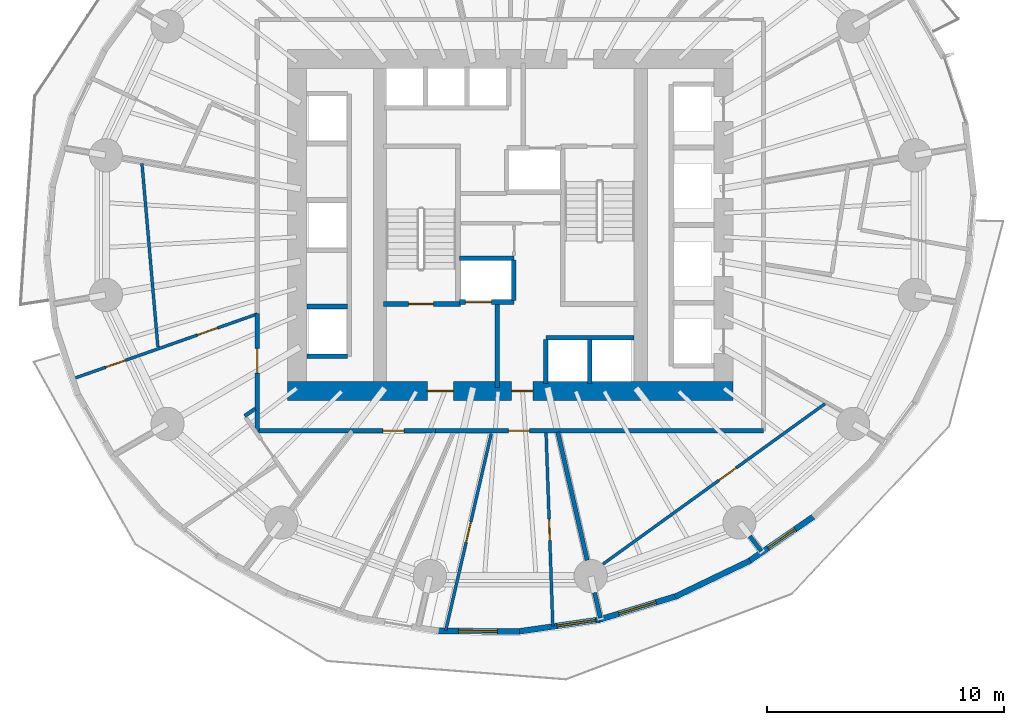
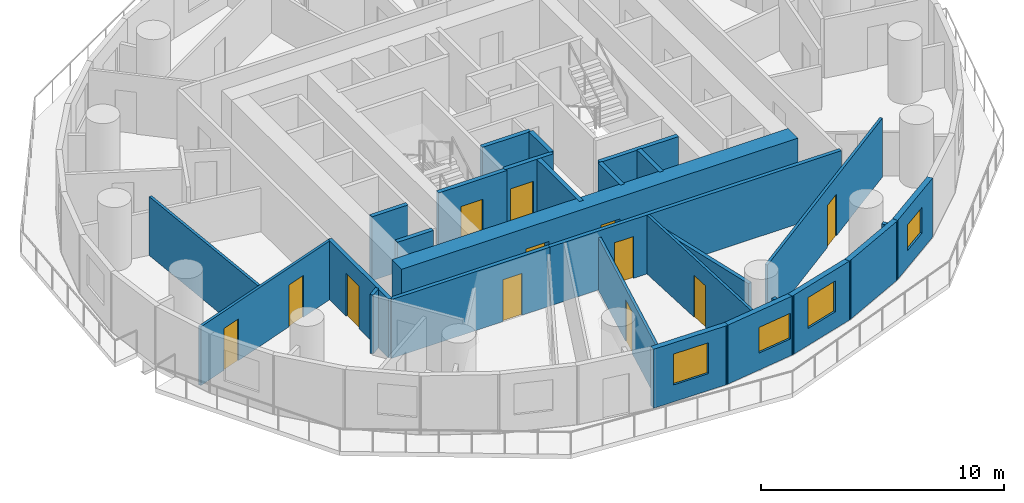
# One storey, part 5 of 13: 28 walls, 12 doors, 4 windows, 16 openings.
"""IFC4 building model written with IfcOpenShell, lengths in metres."""

from ifc_helpers import new_model, si_unit, direction, frame, frame_2d, origin, place, context, subcontext, project, spatial, rectangle, extrude, material, layer, layer_set, type_object, element, fill, save


model = new_model("IFC4")

# Units and contexts
model_context = context("Model", 3, precision=1e-05, world=origin(), true_north=direction((0.0, 1.0)))
body_context = subcontext(model_context, "Body", "Model", "MODEL_VIEW")
ifc_project = project(units=[si_unit("LENGTHUNIT", "METRE"), si_unit("AREAUNIT", "SQUARE_METRE"), si_unit("VOLUMEUNIT", "CUBIC_METRE"), si_unit("PLANEANGLEUNIT", "RADIAN"), si_unit("MASSUNIT", "GRAM", prefix="KILO")], contexts=[model_context])

# Site, building, storey
site_placement = place(None, origin())
site = spatial("IfcSite", under=ifc_project, at=site_placement, CompositionType="ELEMENT")
building_placement = place(site_placement, origin())
building = spatial("IfcBuilding", under=site, at=building_placement, Name="Veldorim Arch Residences", CompositionType="ELEMENT")
storey_placement = place(building_placement, frame((0.0, 0.0, 56.800048828125)))
storey = spatial("IfcBuildingStorey", under=building, at=storey_placement, Name="L16", CompositionType="ELEMENT", Elevation=56.800048828125)

# Wall, opening, door
ifc_material_1 = material(Name="Acoustic Gypsum Board", Category="gypsum")
ifc_layer_1 = layer(ifc_material_1, 0.125, Name="Acoustic Stud Room Partition Wall 125")
ifc_layer_set_1 = layer_set([ifc_layer_1], Name="Acoustic Gypsum Board")
wall_type_1 = type_object("IfcWallType", Name="Acoustic Stud Room Partition Wall 125", PredefinedType="PARTITIONING", material=ifc_layer_set_1)
wall_1_placement = place(storey_placement, frame((33.5087890625, 15.22021484375, 0.0), z_axis=(0.0, 0.0, 1.0), x_axis=(0.035033610305, -0.999386134659, 0.0)))
wall_1 = element("IfcWall", 1, at=wall_1_placement, inside=storey, type_object=wall_type_1, Name="L16 interior wall WL-RES-L16-010", PredefinedType="PARTITIONING", context=body_context, shape_type="SweptSolid", body=[
    extrude(rectangle(XDim=8.153564453125, YDim=0.125, at=frame_2d((4.07666015625, 0.0))), origin(), (0.0, 0.0, 1.0), 2.954833984375),
])
opening_1_placement = place(wall_1_placement, frame((3.626708984375, 0.0, 0.0)))
opening_1 = element("IfcOpeningElement", 2, at=opening_1_placement, cuts=wall_1, Name="Opening DR-INT", PredefinedType="OPENING", context=body_context, shape_type="SweptSolid", body=[
    extrude(rectangle(XDim=0.89990234375, YDim=2.10009765625, at=frame_2d((0.449951171875, 1.050048828125))), frame((0.0, 0.072509765625, 0.0), z_axis=(0.0, -1.0, 0.0), x_axis=(1.0, 0.0, 0.0)), (0.0, 0.0, 1.0), 0.14501953125),
])
ifc_material_2 = material(Name="Engineered Timber", Category="wood")
door_type_1 = type_object("IfcDoorType", Name="Apartment Internal Room Timber Door 900x2100", OperationType="SINGLE_SWING_LEFT", PredefinedType="DOOR", material=ifc_material_2)
door_1_placement = place(opening_1_placement, origin())
door_1 = element("IfcDoor", 3, at=door_1_placement, inside=storey, type_object=door_type_1, Name="L16 interior door DR-RES-L16-003", OperationType="SINGLE_SWING_LEFT", OverallHeight=2.10009765625, OverallWidth=0.89990234375, PredefinedType="DOOR", context=body_context, shape_type="SweptSolid", body=[
    extrude(rectangle(XDim=0.89990234375, YDim=2.10009765625, at=frame_2d((0.449951171875, 1.050048828125))), frame((0.0, 0.02490234375, 0.0), z_axis=(0.0, -1.0, 0.0), x_axis=(1.0, 0.0, 0.0)), (0.0, 0.0, 1.0), 0.050048828125),
])
fill(opening_1, door_1)

wall_2_placement = place(storey_placement, frame((29.27197265625, 6.88623046875, 0.0), z_axis=(0.0, 0.0, 1.0), x_axis=(0.225419243566, 0.974261856294, 0.0)))
wall_2 = element("IfcWall", 4, at=wall_2_placement, inside=storey, type_object=wall_type_1, Name="L16 interior wall WL-RES-L16-011", PredefinedType="PARTITIONING", context=body_context, shape_type="SweptSolid", body=[
    extrude(rectangle(XDim=8.53662109375, YDim=0.125, at=frame_2d((4.268310546875, 0.0))), origin(), (0.0, 0.0, 1.0), 2.641357421875),
])
opening_2_placement = place(wall_2_placement, frame((3.818359375, 0.0, 0.0)))
opening_2 = element("IfcOpeningElement", 5, at=opening_2_placement, cuts=wall_2, Name="Opening DR-INT", PredefinedType="OPENING", context=body_context, shape_type="SweptSolid", body=[
    extrude(rectangle(XDim=0.89990234375, YDim=2.10009765625, at=frame_2d((0.449951171875, 1.050048828125))), frame((0.0, 0.072509765625, 0.0), z_axis=(0.0, -1.0, 0.0), x_axis=(1.0, 0.0, 0.0)), (0.0, 0.0, 1.0), 0.14501953125),
])
door_2_placement = place(opening_2_placement, origin())
door_2 = element("IfcDoor", 6, at=door_2_placement, inside=storey, type_object=door_type_1, Name="L16 interior door DR-RES-L16-004", OperationType="SINGLE_SWING_RIGHT", OverallHeight=2.10009765625, OverallWidth=0.89990234375, PredefinedType="DOOR", context=body_context, shape_type="SweptSolid", body=[
    extrude(rectangle(XDim=0.89990234375, YDim=2.10009765625, at=frame_2d((0.449951171875, 1.050048828125))), frame((0.0, 0.02490234375, 0.0), z_axis=(0.0, -1.0, 0.0), x_axis=(1.0, 0.0, 0.0)), (0.0, 0.0, 1.0), 0.050048828125),
])
fill(opening_2, door_2)

wall_3_placement = place(storey_placement, frame((45.27783203125, 16.458984375, 0.0), z_axis=(0.0, 0.0, 1.0), x_axis=(-0.810668637761, -0.585505217526, 0.0)))
wall_3 = element("IfcWall", 7, at=wall_3_placement, inside=storey, type_object=wall_type_1, Name="L16 interior wall WL-RES-L16-022", PredefinedType="PARTITIONING", context=body_context, shape_type="SweptSolid", body=[
    extrude(rectangle(XDim=11.5498046875, YDim=0.125, at=frame_2d((5.77490234375, 0.0))), origin(), (0.0, 0.0, 1.0), 2.954833984375),
])
opening_3_placement = place(wall_3_placement, frame((4.625, 0.0, 0.0)))
opening_3 = element("IfcOpeningElement", 8, at=opening_3_placement, cuts=wall_3, Name="Opening DR-INT", PredefinedType="OPENING", context=body_context, shape_type="SweptSolid", body=[
    extrude(rectangle(XDim=0.89990234375, YDim=2.10009765625, at=frame_2d((0.449951171875, 1.050048828125))), frame((0.0, 0.072509765625, 0.0), z_axis=(0.0, -1.0, 0.0), x_axis=(1.0, 0.0, 0.0)), (0.0, 0.0, 1.0), 0.14501953125),
])
door_3_placement = place(opening_3_placement, origin())
door_3 = element("IfcDoor", 9, at=door_3_placement, inside=storey, type_object=door_type_1, Name="L16 interior door DR-RES-L16-009", OperationType="SINGLE_SWING_LEFT", OverallHeight=2.10009765625, OverallWidth=0.89990234375, PredefinedType="DOOR", context=body_context, shape_type="SweptSolid", body=[
    extrude(rectangle(XDim=0.89990234375, YDim=2.10009765625, at=frame_2d((0.449951171875, 1.050048828125))), frame((0.0, 0.02490234375, 0.0), z_axis=(0.0, -1.0, 0.0), x_axis=(1.0, 0.0, 0.0)), (0.0, 0.0, 1.0), 0.050048828125),
])
fill(opening_3, door_3)

# Wall, openings, doors
wall_4_placement = place(storey_placement, frame((13.542724609375, 17.514892578125, 0.0), z_axis=(0.0, 0.0, 1.0), x_axis=(0.943466147543, 0.331468895131, 0.0)))
wall_4 = element("IfcWall", 10, at=wall_4_placement, inside=storey, type_object=wall_type_1, Name="L16 interior wall WL-RES-L16-040", PredefinedType="PARTITIONING", context=body_context, shape_type="SweptSolid", body=[
    extrude(rectangle(XDim=8.243408203125, YDim=0.125, at=frame_2d((4.12158203125, 0.0))), origin(), (0.0, 0.0, 1.0), 2.954833984375),
])
opening_4_placement = place(wall_4_placement, frame((1.46337890625, 0.0, 0.0)))
opening_4 = element("IfcOpeningElement", 11, at=opening_4_placement, cuts=wall_4, Name="Opening DR-INT", PredefinedType="OPENING", context=body_context, shape_type="SweptSolid", body=[
    extrude(rectangle(XDim=0.89990234375, YDim=2.10009765625, at=frame_2d((0.449951171875, 1.050048828125))), frame((0.0, 0.072509765625, 0.0), z_axis=(0.0, -1.0, 0.0), x_axis=(1.0, 0.0, 0.0)), (0.0, 0.0, 1.0), 0.14501953125),
])
opening_5_placement = place(wall_4_placement, frame((5.564697265625, 0.0, 0.0)))
opening_5 = element("IfcOpeningElement", 12, at=opening_5_placement, cuts=wall_4, Name="Opening DR-INT", PredefinedType="OPENING", context=body_context, shape_type="SweptSolid", body=[
    extrude(rectangle(XDim=0.89990234375, YDim=2.10009765625, at=frame_2d((0.449951171875, 1.050048828125))), frame((0.0, 0.072509765625, 0.0), z_axis=(0.0, -1.0, 0.0), x_axis=(1.0, 0.0, 0.0)), (0.0, 0.0, 1.0), 0.14501953125),
])
door_4_placement = place(opening_4_placement, origin())
door_4 = element("IfcDoor", 13, at=door_4_placement, inside=storey, type_object=door_type_1, Name="L16 interior door DR-RES-L16-027", OperationType="SINGLE_SWING_LEFT", OverallHeight=2.10009765625, OverallWidth=0.89990234375, PredefinedType="DOOR", context=body_context, shape_type="SweptSolid", body=[
    extrude(rectangle(XDim=0.89990234375, YDim=2.10009765625, at=frame_2d((0.449951171875, 1.050048828125))), frame((0.0, 0.02490234375, 0.0), z_axis=(0.0, -1.0, 0.0), x_axis=(1.0, 0.0, 0.0)), (0.0, 0.0, 1.0), 0.050048828125),
])
fill(opening_4, door_4)
door_5_placement = place(opening_5_placement, origin())
door_5 = element("IfcDoor", 14, at=door_5_placement, inside=storey, type_object=door_type_1, Name="L16 interior door DR-RES-L16-028", OperationType="SINGLE_SWING_RIGHT", OverallHeight=2.10009765625, OverallWidth=0.89990234375, PredefinedType="DOOR", context=body_context, shape_type="SweptSolid", body=[
    extrude(rectangle(XDim=0.89990234375, YDim=2.10009765625, at=frame_2d((0.449951171875, 1.050048828125))), frame((0.0, 0.02490234375, 0.0), z_axis=(0.0, -1.0, 0.0), x_axis=(1.0, 0.0, 0.0)), (0.0, 0.0, 1.0), 0.050048828125),
])
fill(opening_5, door_5)

# Walls
wall_5_placement = place(storey_placement, frame((16.45458984375, 26.60498046875, 0.0), z_axis=(0.0, 0.0, 1.0), x_axis=(0.086414248462, -0.996259292385, 0.0)))
element("IfcWall", 15, at=wall_5_placement, inside=storey, type_object=wall_type_1, Name="L16 interior wall WL-RES-L16-043", PredefinedType="PARTITIONING", context=body_context, shape_type="SweptSolid", body=[
    extrude(rectangle(XDim=7.77783203125, YDim=0.125, at=frame_2d((3.888916015625, 0.0))), origin(), (0.0, 0.0, 1.0), 2.954833984375),
])
ifc_material_3 = material(Name="Lightweight Masonry Block & Gypsum", Category="masonry")
ifc_layer_2 = layer(ifc_material_3, 0.179931640625, Name="Compartment & Corridor Fire-Rated Party Wall 180")
ifc_layer_set_2 = layer_set([ifc_layer_2], Name="Lightweight Masonry Block & Gypsum")
wall_type_2 = type_object("IfcWallType", Name="Compartment & Corridor Fire-Rated Party Wall 180", PredefinedType="PARTITIONING", material=ifc_layer_set_2)
wall_6_placement = place(storey_placement, frame((35.555419921875, 8.48828125, 0.0), z_axis=(0.0, 0.0, 1.0), x_axis=(0.223512485262, -0.974701066446, 0.0)))
element("IfcWall", 16, at=wall_6_placement, inside=storey, type_object=wall_type_2, Name="L16 interior wall WL-PIER-L16-13", PredefinedType="PARTITIONING", context=body_context, shape_type="SweptSolid", body=[
    extrude(rectangle(XDim=1.098876953125, YDim=0.179931640625, at=frame_2d((0.54931640625, 0.0))), origin(), (0.0, 0.0, 1.0), 2.17822265625),
])
wall_7_placement = place(storey_placement, frame((42.106201171875, 10.874267578125, 0.0), z_axis=(0.0, 0.0, 1.0), x_axis=(0.609961416057, -0.792431114307, 0.0)))
element("IfcWall", 17, at=wall_7_placement, inside=storey, type_object=wall_type_2, Name="L16 interior wall WL-PIER-L16-14", PredefinedType="PARTITIONING", context=body_context, shape_type="SweptSolid", body=[
    extrude(rectangle(XDim=0.800048828125, YDim=0.179931640625, at=frame_2d((0.39990234375, 0.0))), origin(), (0.0, 0.0, 1.0), 2.17822265625),
])

# Wall, opening, door
wall_8_placement = place(storey_placement, frame((42.679931640625, 15.320068359375, 0.0), z_axis=(0.0, 0.0, 1.0), x_axis=(-1.0, 0.0, 0.0)))
wall_8 = element("IfcWall", 18, at=wall_8_placement, inside=storey, type_object=wall_type_2, Name="L16 interior wall WL-RES-L16-001", PredefinedType="PARTITIONING", context=body_context, shape_type="SweptSolid", body=[
    extrude(rectangle(XDim=13.8701171875, YDim=0.179931640625, at=frame_2d((6.93505859375, 0.0))), origin(), (0.0, 0.0, 1.0), 2.954833984375),
])
opening_6_placement = place(wall_8_placement, frame((9.865966796875, 0.0, 0.0)))
opening_6 = element("IfcOpeningElement", 19, at=opening_6_placement, cuts=wall_8, Name="Opening DR-SVC", PredefinedType="OPENING", context=body_context, shape_type="SweptSolid", body=[
    extrude(rectangle(XDim=0.89990234375, YDim=2.10009765625, at=frame_2d((0.449951171875, 1.050048828125))), frame((0.0, 0.099853515625, 0.0), z_axis=(0.0, -1.0, 0.0), x_axis=(1.0, 0.0, 0.0)), (0.0, 0.0, 1.0), 0.199951171875),
])
ifc_material_4 = material(Name="Fire-Rated Steel", Category="steel")
door_type_2 = type_object("IfcDoorType", Name="Riser, Shelter & Plant Room Rated Steel Door 900x2100", OperationType="SINGLE_SWING_LEFT", PredefinedType="DOOR", material=ifc_material_4)
door_6_placement = place(opening_6_placement, origin())
door_6 = element("IfcDoor", 20, at=door_6_placement, inside=storey, type_object=door_type_2, Name="L16 interior door DR-RES-L16-001", OperationType="SINGLE_SWING_LEFT", OverallHeight=2.10009765625, OverallWidth=0.89990234375, PredefinedType="DOOR", context=body_context, shape_type="SweptSolid", body=[
    extrude(rectangle(XDim=0.89990234375, YDim=2.10009765625, at=frame_2d((0.449951171875, 1.050048828125))), frame((0.0, 0.02490234375, 0.0), z_axis=(0.0, -1.0, 0.0), x_axis=(1.0, 0.0, 0.0)), (0.0, 0.0, 1.0), 0.050048828125),
])
fill(opening_6, door_6)

wall_9_placement = place(storey_placement, frame((28.852294921875, 15.320068359375, 0.0), z_axis=(0.0, 0.0, 1.0), x_axis=(-1.0, 0.0, 0.0)))
wall_9 = element("IfcWall", 21, at=wall_9_placement, inside=storey, type_object=wall_type_2, Name="L16 interior wall WL-RES-L16-002", PredefinedType="PARTITIONING", context=body_context, shape_type="SweptSolid", body=[
    extrude(rectangle(XDim=7.5322265625, YDim=0.179931640625, at=frame_2d((3.76611328125, 0.0))), origin(), (0.0, 0.0, 1.0), 2.954833984375),
])
opening_7_placement = place(wall_9_placement, frame((1.330322265625, 0.0, 0.0)))
opening_7 = element("IfcOpeningElement", 22, at=opening_7_placement, cuts=wall_9, Name="Opening DR-INT", PredefinedType="OPENING", context=body_context, shape_type="SweptSolid", body=[
    extrude(rectangle(XDim=0.89990234375, YDim=2.10009765625, at=frame_2d((0.449951171875, 1.050048828125))), frame((0.0, 0.099853515625, 0.0), z_axis=(0.0, -1.0, 0.0), x_axis=(1.0, 0.0, 0.0)), (0.0, 0.0, 1.0), 0.199951171875),
])
door_7_placement = place(opening_7_placement, origin())
door_7 = element("IfcDoor", 23, at=door_7_placement, inside=storey, type_object=door_type_1, Name="L16 interior door DR-RES-L16-002", OperationType="SINGLE_SWING_RIGHT", OverallHeight=2.10009765625, OverallWidth=0.89990234375, PredefinedType="DOOR", context=body_context, shape_type="SweptSolid", body=[
    extrude(rectangle(XDim=0.89990234375, YDim=2.10009765625, at=frame_2d((0.449951171875, 1.050048828125))), frame((0.0, 0.02490234375, 0.0), z_axis=(0.0, -1.0, 0.0), x_axis=(1.0, 0.0, 0.0)), (0.0, 0.0, 1.0), 0.050048828125),
])
fill(opening_7, door_7)

wall_10_placement = place(storey_placement, frame((21.320068359375, 15.320068359375, 0.0), z_axis=(0.0, 0.0, 1.0), x_axis=(0.0, 1.0, 0.0)))
wall_10 = element("IfcWall", 24, at=wall_10_placement, inside=storey, type_object=wall_type_2, Name="L16 interior wall WL-RES-L16-009", PredefinedType="PARTITIONING", context=body_context, shape_type="SweptSolid", body=[
    extrude(rectangle(XDim=4.947265625, YDim=0.179931640625, at=frame_2d((2.4736328125, 0.0))), origin(), (0.0, 0.0, 1.0), 2.954833984375),
])
opening_8_placement = place(wall_10_placement, frame((2.43212890625, 0.0, 0.0)))
opening_8 = element("IfcOpeningElement", 25, at=opening_8_placement, cuts=wall_10, Name="Opening DR-FLT", PredefinedType="OPENING", context=body_context, shape_type="SweptSolid", body=[
    extrude(rectangle(XDim=1.050048828125, YDim=2.14990234375, at=frame_2d((0.52490234375, 1.074951171875))), frame((0.0, 0.099853515625, 0.0), z_axis=(0.0, -1.0, 0.0), x_axis=(1.0, 0.0, 0.0)), (0.0, 0.0, 1.0), 0.199951171875),
])
ifc_material_5 = material(Name="Fire-Rated Timber", Category="wood")
door_type_3 = type_object("IfcDoorType", Name="Apartment Entrance Solid-Core Fire Door 1050x2150", OperationType="SINGLE_SWING_LEFT", PredefinedType="DOOR", material=ifc_material_5)
door_8_placement = place(opening_8_placement, origin())
door_8 = element("IfcDoor", 26, at=door_8_placement, inside=storey, type_object=door_type_3, Name="L16 interior door DR-RES-L16-025", OperationType="SINGLE_SWING_LEFT", OverallHeight=2.14990234375, OverallWidth=1.050048828125, PredefinedType="DOOR", context=body_context, shape_type="SweptSolid", body=[
    extrude(rectangle(XDim=1.050048828125, YDim=2.14990234375, at=frame_2d((0.52490234375, 1.074951171875))), frame((0.0, 0.02490234375, 0.0), z_axis=(0.0, -1.0, 0.0), x_axis=(1.0, 0.0, 0.0)), (0.0, 0.0, 1.0), 0.050048828125),
])
fill(opening_8, door_8)

# Wall
wall_11_placement = place(storey_placement, frame((34.0029296875, 15.261474609375, 0.0), z_axis=(0.0, 0.0, 1.0), x_axis=(0.22340578764, -0.974725527546, 0.0)))
element("IfcWall", 27, at=wall_11_placement, inside=storey, type_object=wall_type_2, Name="L16 interior wall WL-RES-L16-014", PredefinedType="PARTITIONING", context=body_context, shape_type="SweptSolid", body=[
    extrude(rectangle(XDim=5.544921875, YDim=0.179931640625, at=frame_2d((2.7724609375, 0.0))), origin(), (0.0, 0.0, 1.0), 2.17822265625),
])

# Wall, opening, door
ifc_material_6 = material(Name="Concrete C50/60", Category="concrete")
ifc_layer_3 = layer(ifc_material_6, 0.199951171875, Name="Core Stair & Lift Shaft Enclosure Wall 200")
ifc_layer_set_3 = layer_set([ifc_layer_3], Name="Concrete C50/60")
wall_type_3 = type_object("IfcWallType", Name="Core Stair & Lift Shaft Enclosure Wall 200", PredefinedType="SHEAR", material=ifc_layer_set_3)
wall_12_placement = place(storey_placement, frame((26.64990234375, 20.669921875, 0.0), z_axis=(0.0, 0.0, 1.0), x_axis=(1.0, 0.0, 0.0)))
wall_12 = element("IfcWall", 28, at=wall_12_placement, inside=storey, type_object=wall_type_3, Name="L16 shaft wall WL-SHF-L16-ST1-S", PredefinedType="SHEAR", context=body_context, shape_type="SweptSolid", body=[
    extrude(rectangle(XDim=3.239990234375, YDim=0.199951171875, at=frame_2d((1.6201171875, 0.0))), origin(), (0.0, 0.0, 1.0), 3.199951171875),
])
opening_9_placement = place(wall_12_placement, frame((1.054931640625, 0.0, 0.0)))
opening_9 = element("IfcOpeningElement", 29, at=opening_9_placement, cuts=wall_12, Name="Opening DR-ST", PredefinedType="OPENING", context=body_context, shape_type="SweptSolid", body=[
    extrude(rectangle(XDim=1.050048828125, YDim=2.14990234375, at=frame_2d((0.52490234375, 1.074951171875))), frame((0.0, 0.10986328125, 0.0), z_axis=(0.0, -1.0, 0.0), x_axis=(1.0, 0.0, 0.0)), (0.0, 0.0, 1.0), 0.219970703125),
])
ifc_material_7 = material(Name="Fire-Rated Steel", Category="steel")
door_type_4 = type_object("IfcDoorType", Name="Exit Staircase Self-Closing Fire Door 1050x2150", OperationType="SINGLE_SWING_LEFT", PredefinedType="DOOR", material=ifc_material_7)
door_9_placement = place(opening_9_placement, origin())
door_9 = element("IfcDoor", 30, at=door_9_placement, inside=storey, type_object=door_type_4, Name="L16 interior door DR-L16-ST1", OperationType="SINGLE_SWING_LEFT", OverallHeight=2.14990234375, OverallWidth=1.050048828125, PredefinedType="DOOR", context=body_context, shape_type="SweptSolid", body=[
    extrude(rectangle(XDim=1.050048828125, YDim=2.14990234375, at=frame_2d((0.52490234375, 1.074951171875))), frame((0.0, 0.02490234375, 0.0), z_axis=(0.0, -1.0, 0.0), x_axis=(1.0, 0.0, 0.0)), (0.0, 0.0, 1.0), 0.050048828125),
])
fill(opening_9, door_9)

# Wall
wall_13_placement = place(storey_placement, frame((31.449951171875, 17.14990234375, 0.0), z_axis=(0.0, 0.0, 1.0), x_axis=(0.0, 1.0, 0.0)))
element("IfcWall", 31, at=wall_13_placement, inside=storey, type_object=wall_type_3, Name="L16 shaft wall WL-FFL1-L16-E", PredefinedType="SHEAR", context=body_context, shape_type="SweptSolid", body=[
    extrude(rectangle(XDim=3.5, YDim=0.199951171875, at=frame_2d((1.75, 0.0))), origin(), (0.0, 0.0, 1.0), 3.199951171875),
])

# Wall, opening, door
wall_14_placement = place(storey_placement, frame((29.85009765625, 20.75, 0.0), z_axis=(0.0, 0.0, 1.0), x_axis=(1.0, 0.0, 0.0)))
wall_14 = element("IfcWall", 32, at=wall_14_placement, inside=storey, type_object=wall_type_3, Name="L16 shaft wall WL-FL01-L16-S", PredefinedType="SHEAR", context=body_context, shape_type="SweptSolid", body=[
    extrude(rectangle(XDim=2.2998046875, YDim=0.199951171875, at=frame_2d((1.14990234375, 0.0))), origin(), (0.0, 0.0, 1.0), 3.199951171875),
])
opening_10_placement = place(wall_14_placement, frame((0.25, 0.0, 0.0)))
opening_10 = element("IfcOpeningElement", 33, at=opening_10_placement, cuts=wall_14, Name="Opening LD-FF", PredefinedType="OPENING", context=body_context, shape_type="SweptSolid", body=[
    extrude(rectangle(XDim=1.10009765625, YDim=2.14990234375, at=frame_2d((0.550048828125, 1.074951171875))), frame((0.0, 0.10986328125, 0.0), z_axis=(0.0, -1.0, 0.0), x_axis=(1.0, 0.0, 0.0)), (0.0, 0.0, 1.0), 0.219970703125),
])
ifc_material_8 = material(Name="Stainless Steel", Category="steel")
door_type_5 = type_object("IfcDoorType", Name="Firefighting Lift Bi-Parting Sliding Landing Door 1100x2150", OperationType="DOUBLE_DOOR_SLIDING", PredefinedType="DOOR", material=ifc_material_8)
door_10_placement = place(opening_10_placement, origin())
door_10 = element("IfcDoor", 34, at=door_10_placement, inside=storey, type_object=door_type_5, Name="L16 lift landing door LD-L16-FL01", OperationType="DOUBLE_DOOR_SLIDING", OverallHeight=2.14990234375, OverallWidth=1.10009765625, PredefinedType="DOOR", context=body_context, shape_type="SweptSolid", body=[
    extrude(rectangle(XDim=1.10009765625, YDim=2.14990234375, at=frame_2d((0.550048828125, 1.074951171875))), frame((0.0, 0.02490234375, 0.0), z_axis=(0.0, -1.0, 0.0), x_axis=(1.0, 0.0, 0.0)), (0.0, 0.0, 1.0), 0.050048828125),
])
fill(opening_10, door_10)

# Walls
wall_15_placement = place(storey_placement, frame((29.85009765625, 22.60009765625, 0.0), z_axis=(0.0, 0.0, 1.0), x_axis=(1.0, 0.0, 0.0)))
element("IfcWall", 35, at=wall_15_placement, inside=storey, type_object=wall_type_3, Name="L16 shaft wall WL-FL01-L16-N", PredefinedType="SHEAR", context=body_context, shape_type="SweptSolid", body=[
    extrude(rectangle(XDim=2.2998046875, YDim=0.199951171875, at=frame_2d((1.14990234375, 0.0))), origin(), (0.0, 0.0, 1.0), 3.199951171875),
])
for number, where, z_axis, x_axis, name in (
    (36, (32.14990234375, 20.820068359375, 0.0), (0.0, 0.0, 1.0), (0.0, 1.0, 0.0), "L16 shaft wall WL-FL01-L16-E"),
    (37, (23.419921875, 18.4599609375, 0.0), (0.0, 0.0, 1.0), (1.0, 0.0, 0.0), "L16 shaft wall WL-B2-L16-S"),
    (38, (23.419921875, 20.56005859375, 0.0), (0.0, 0.0, 1.0), (1.0, 0.0, 0.0), "L16 shaft wall WL-B2-L16-D1A"),
):
    element("IfcWall", number, at=place(storey_placement, frame(where, z_axis=z_axis, x_axis=x_axis)), inside=storey, type_object=wall_type_3, Name=name, PredefinedType="SHEAR", context=body_context, shape_type="SweptSolid", body=[
        extrude(rectangle(XDim=1.7099609375, YDim=0.199951171875, at=frame_2d((0.85498046875, 0.0))), origin(), (0.0, 0.0, 1.0), 3.199951171875),
    ])
wall_16_placement = place(storey_placement, frame((33.5, 19.25, 0.0), z_axis=(0.0, 0.0, 1.0), x_axis=(1.0, 0.0, 0.0)))
element("IfcWall", 39, at=wall_16_placement, inside=storey, type_object=wall_type_3, Name="L16 shaft wall WL-OL-L16-N", PredefinedType="SHEAR", context=body_context, shape_type="SweptSolid", body=[
    extrude(rectangle(XDim=3.719970703125, YDim=0.199951171875, at=frame_2d((1.85986328125, 0.0))), origin(), (0.0, 0.0, 1.0), 3.199951171875),
])
for number, where, z_axis, x_axis, name in (
    (40, (33.5, 17.320068359375, 0.0), (0.0, 0.0, 1.0), (0.0, 1.0, 0.0), "L16 shaft wall WL-OL-L16-W"),
    (41, (35.35009765625, 17.320068359375, 0.0), (0.0, 0.0, 1.0), (0.0, 1.0, 0.0), "L16 shaft wall WL-OL-L16-D1"),
):
    element("IfcWall", number, at=place(storey_placement, frame(where, z_axis=z_axis, x_axis=x_axis)), inside=storey, type_object=wall_type_3, Name=name, PredefinedType="SHEAR", context=body_context, shape_type="SweptSolid", body=[
        extrude(rectangle(XDim=1.85986328125, YDim=0.199951171875, at=frame_2d((0.929931640625, 0.0))), origin(), (0.0, 0.0, 1.0), 3.199951171875),
    ])

# Wall, openings, doors
ifc_material_9 = material(Name="Concrete C60/75", Category="concrete")
ifc_layer_4 = layer(ifc_material_9, 0.800048828125, Name="Lower Central Core Shear Wall 800")
ifc_layer_set_4 = layer_set([ifc_layer_4], Name="Concrete C60/75")
wall_type_4 = type_object("IfcWallType", Name="Lower Central Core Shear Wall 800", PredefinedType="SHEAR", material=ifc_layer_set_4)
wall_17_placement = place(storey_placement, frame((22.60009765625, 17.0, 0.0), z_axis=(0.0, 0.0, 1.0), x_axis=(1.0, 0.0, 0.0)))
wall_17 = element("IfcWall", 42, at=wall_17_placement, inside=storey, type_object=wall_type_4, Name="L16 central core south shear wall", PredefinedType="SHEAR", context=body_context, shape_type="SweptSolid", body=[
    extrude(rectangle(XDim=18.7998046875, YDim=0.800048828125, at=frame_2d((9.39990234375, 0.0))), origin(), (0.0, 0.0, 1.0), 3.199951171875),
])
opening_11_placement = place(wall_17_placement, frame((5.89990234375, 0.0, 0.0)))
opening_11 = element("IfcOpeningElement", 43, at=opening_11_placement, cuts=wall_17, Name="Opening DR-FFL", PredefinedType="OPENING", context=body_context, shape_type="SweptSolid", body=[
    extrude(rectangle(XDim=1.10009765625, YDim=2.14990234375, at=frame_2d((0.550048828125, 1.074951171875))), frame((0.0, 0.409912109375, 0.0), z_axis=(0.0, -1.0, 0.0), x_axis=(1.0, 0.0, 0.0)), (0.0, 0.0, 1.0), 0.820068359375),
])
opening_12_placement = place(wall_17_placement, frame((9.449951171875, 0.0, 0.0)))
opening_12 = element("IfcOpeningElement", 44, at=opening_12_placement, cuts=wall_17, Name="Opening DR-SVC", PredefinedType="OPENING", context=body_context, shape_type="SweptSolid", body=[
    extrude(rectangle(XDim=0.89990234375, YDim=2.10009765625, at=frame_2d((0.449951171875, 1.050048828125))), frame((0.0, 0.409912109375, 0.0), z_axis=(0.0, -1.0, 0.0), x_axis=(1.0, 0.0, 0.0)), (0.0, 0.0, 1.0), 0.820068359375),
])
ifc_material_10 = material(Name="Fire-Rated Steel & Vision Glass", Category="steel")
door_type_6 = type_object("IfcDoorType", Name="Firefighting Lobby Smoke-Stop Fire Door 1100x2150", OperationType="SINGLE_SWING_LEFT", PredefinedType="DOOR", material=ifc_material_10)
door_11_placement = place(opening_11_placement, origin())
door_11 = element("IfcDoor", 45, at=door_11_placement, inside=storey, type_object=door_type_6, Name="L16 interior door DR-L16-FFL1", OperationType="SINGLE_SWING_RIGHT", OverallHeight=2.14990234375, OverallWidth=1.10009765625, PredefinedType="DOOR", context=body_context, shape_type="SweptSolid", body=[
    extrude(rectangle(XDim=1.10009765625, YDim=2.14990234375, at=frame_2d((0.550048828125, 1.074951171875))), frame((0.0, 0.02490234375, 0.0), z_axis=(0.0, -1.0, 0.0), x_axis=(1.0, 0.0, 0.0)), (0.0, 0.0, 1.0), 0.050048828125),
])
fill(opening_11, door_11)
door_12_placement = place(opening_12_placement, origin())
door_12 = element("IfcDoor", 46, at=door_12_placement, inside=storey, type_object=door_type_2, Name="L16 interior door DR-L16-COR-ANC", OperationType="SINGLE_SWING_LEFT", OverallHeight=2.10009765625, OverallWidth=0.89990234375, PredefinedType="DOOR", context=body_context, shape_type="SweptSolid", body=[
    extrude(rectangle(XDim=0.89990234375, YDim=2.10009765625, at=frame_2d((0.449951171875, 1.050048828125))), frame((0.0, 0.02490234375, 0.0), z_axis=(0.0, -1.0, 0.0), x_axis=(1.0, 0.0, 0.0)), (0.0, 0.0, 1.0), 0.050048828125),
])
fill(opening_12, door_12)

# Wall, opening, window
ifc_material_11 = material(Name="Precast concrete C40/50", Category="concrete")
ifc_layer_5 = layer(ifc_material_11, 0.25, Name="Tower Terracotta Spandrel & Pier Wall 250")
ifc_layer_set_5 = layer_set([ifc_layer_5], Name="Precast concrete C40/50")
wall_type_5 = type_object("IfcWallType", Name="Tower Terracotta Spandrel & Pier Wall 250", PredefinedType="SOLIDWALL", material=ifc_layer_set_5)
wall_18_placement = place(storey_placement, frame((32.3857421875, 6.84375, 0.0), z_axis=(0.0, 0.0, 1.0), x_axis=(-0.999961046076, 0.008826456273, 0.0)))
wall_18 = element("IfcWall", 47, at=wall_18_placement, inside=storey, type_object=wall_type_5, Name="L16 terracotta facade wall 26", PredefinedType="SOLIDWALL", context=body_context, shape_type="SweptSolid", body=[
    extrude(rectangle(XDim=3.512939453125, YDim=0.25, at=frame_2d((1.75634765625, 0.0))), origin(), (0.0, 0.0, 1.0), 2.9599609375),
])
opening_13_placement = place(wall_18_placement, frame((0.930908203125, 0.0, 0.85009765625)))
opening_13 = element("IfcOpeningElement", 48, at=opening_13_placement, cuts=wall_18, Name="Opening WN-03", PredefinedType="OPENING", context=body_context, shape_type="SweptSolid", body=[
    extrude(rectangle(XDim=1.64990234375, YDim=1.550048828125, at=frame_2d((0.824951171875, 0.77490234375))), frame((0.0, 0.135009765625, 0.0), z_axis=(0.0, -1.0, 0.0), x_axis=(1.0, 0.0, 0.0)), (0.0, 0.0, 1.0), 0.27001953125),
])
ifc_material_12 = material(Name="Laminated Low-E Glass", Category="glass")
window_type_1 = type_object("IfcWindowType", Name="Residential Wide Window 1650x1550", PartitioningType="SINGLE_PANEL", PredefinedType="WINDOW", material=ifc_material_12)
window_1_placement = place(opening_13_placement, origin())
window_1 = element("IfcWindow", 49, at=window_1_placement, inside=storey, type_object=window_type_1, Name="L16 solar-control facade window 26", OverallHeight=1.550048828125, OverallWidth=1.64990234375, PartitioningType="SINGLE_PANEL", PredefinedType="WINDOW", context=body_context, shape_type="SweptSolid", body=[
    extrude(rectangle(XDim=1.64990234375, YDim=1.550048828125, at=frame_2d((0.824951171875, 0.77490234375))), frame((0.0, 0.030029296875, 0.0), z_axis=(0.0, -1.0, 0.0), x_axis=(1.0, 0.0, 0.0)), (0.0, 0.0, 1.0), 0.06005859375),
])
fill(opening_13, window_1)

wall_19_placement = place(storey_placement, frame((35.77880859375, 7.344482421875, 0.0), z_axis=(0.0, 0.0, 1.0), x_axis=(-0.989638017979, -0.143584795051, 0.0)))
wall_19 = element("IfcWall", 50, at=wall_19_placement, inside=storey, type_object=wall_type_5, Name="L16 terracotta facade wall 27", PredefinedType="SOLIDWALL", context=body_context, shape_type="SweptSolid", body=[
    extrude(rectangle(XDim=3.538330078125, YDim=0.25, at=frame_2d((1.76904296875, 0.0))), origin(), (0.0, 0.0, 1.0), 2.9599609375),
])
opening_14_placement = place(wall_19_placement, frame((0.175048828125, 0.0, 0.85009765625)))
opening_14 = element("IfcOpeningElement", 51, at=opening_14_placement, cuts=wall_19, Name="Opening WN-03", PredefinedType="OPENING", context=body_context, shape_type="SweptSolid", body=[
    extrude(rectangle(XDim=1.64990234375, YDim=1.2900390625, at=frame_2d((0.824951171875, 0.64501953125))), frame((0.0, 0.135009765625, 0.0), z_axis=(0.0, -1.0, 0.0), x_axis=(1.0, 0.0, 0.0)), (0.0, 0.0, 1.0), 0.27001953125),
])
window_2_placement = place(opening_14_placement, origin())
window_2 = element("IfcWindow", 52, at=window_2_placement, inside=storey, type_object=window_type_1, Name="L16 solar-control facade window 27", OverallHeight=1.2900390625, OverallWidth=1.64990234375, PartitioningType="SINGLE_PANEL", PredefinedType="WINDOW", context=body_context, shape_type="SweptSolid", body=[
    extrude(rectangle(XDim=1.64990234375, YDim=1.2900390625, at=frame_2d((0.824951171875, 0.64501953125))), frame((0.0, 0.030029296875, 0.0), z_axis=(0.0, -1.0, 0.0), x_axis=(1.0, 0.0, 0.0)), (0.0, 0.0, 1.0), 0.06005859375),
])
fill(opening_14, window_2)

wall_20_placement = place(storey_placement, frame((39.05712890625, 8.35205078125, 0.0), z_axis=(0.0, 0.0, 1.0), x_axis=(-0.95658107252, -0.291466381759, 0.0)))
wall_20 = element("IfcWall", 53, at=wall_20_placement, inside=storey, type_object=wall_type_5, Name="L16 terracotta facade wall 28", PredefinedType="SOLIDWALL", context=body_context, shape_type="SweptSolid", body=[
    extrude(rectangle(XDim=3.5380859375, YDim=0.25, at=frame_2d((1.76904296875, 0.0))), origin(), (0.0, 0.0, 1.0), 2.9599609375),
])
opening_15_placement = place(wall_20_placement, frame((0.944091796875, 0.0, 0.85009765625)))
opening_15 = element("IfcOpeningElement", 54, at=opening_15_placement, cuts=wall_20, Name="Opening WN-03", PredefinedType="OPENING", context=body_context, shape_type="SweptSolid", body=[
    extrude(rectangle(XDim=1.64990234375, YDim=1.550048828125, at=frame_2d((0.824951171875, 0.77490234375))), frame((0.0, 0.135009765625, 0.0), z_axis=(0.0, -1.0, 0.0), x_axis=(1.0, 0.0, 0.0)), (0.0, 0.0, 1.0), 0.27001953125),
])
window_3_placement = place(opening_15_placement, origin())
window_3 = element("IfcWindow", 55, at=window_3_placement, inside=storey, type_object=window_type_1, Name="L16 solar-control facade window 28", OverallHeight=1.550048828125, OverallWidth=1.64990234375, PartitioningType="SINGLE_PANEL", PredefinedType="WINDOW", context=body_context, shape_type="SweptSolid", body=[
    extrude(rectangle(XDim=1.64990234375, YDim=1.550048828125, at=frame_2d((0.824951171875, 0.77490234375))), frame((0.0, 0.030029296875, 0.0), z_axis=(0.0, -1.0, 0.0), x_axis=(1.0, 0.0, 0.0)), (0.0, 0.0, 1.0), 0.06005859375),
])
fill(opening_15, window_3)

# Wall
wall_21_placement = place(storey_placement, frame((42.12109375, 9.8359375, 0.0), z_axis=(0.0, 0.0, 1.0), x_axis=(-0.901067057596, -0.433679787073, 0.0)))
element("IfcWall", 56, at=wall_21_placement, inside=storey, type_object=wall_type_5, Name="L16 terracotta facade wall 29", PredefinedType="SOLIDWALL", context=body_context, shape_type="SweptSolid", body=[
    extrude(rectangle(XDim=3.5126953125, YDim=0.25, at=frame_2d((1.75634765625, 0.0))), origin(), (0.0, 0.0, 1.0), 2.9599609375),
])

# Wall, opening, window
wall_22_placement = place(storey_placement, frame((44.876953125, 11.751220703125, 0.0), z_axis=(0.0, 0.0, 1.0), x_axis=(-0.822610496702, -0.568605285515, 0.0)))
wall_22 = element("IfcWall", 57, at=wall_22_placement, inside=storey, type_object=wall_type_5, Name="L16 terracotta facade wall 30", PredefinedType="SOLIDWALL", context=body_context, shape_type="SweptSolid", body=[
    extrude(rectangle(XDim=3.465087890625, YDim=0.25, at=frame_2d((1.732421875, 0.0))), origin(), (0.0, 0.0, 1.0), 2.9599609375),
])
opening_16_placement = place(wall_22_placement, frame((1.031982421875, 0.0, 0.85009765625)))
opening_16 = element("IfcOpeningElement", 58, at=opening_16_placement, cuts=wall_22, Name="Opening WN-02", PredefinedType="OPENING", context=body_context, shape_type="SweptSolid", body=[
    extrude(rectangle(XDim=1.39990234375, YDim=1.2900390625, at=frame_2d((0.699951171875, 0.64501953125))), frame((0.0, 0.135009765625, 0.0), z_axis=(0.0, -1.0, 0.0), x_axis=(1.0, 0.0, 0.0)), (0.0, 0.0, 1.0), 0.27001953125),
])
ifc_material_13 = material(Name="Laminated Low-E Glass", Category="glass")
window_type_2 = type_object("IfcWindowType", Name="Residential Casement Window 1400x1550", PartitioningType="SINGLE_PANEL", PredefinedType="WINDOW", material=ifc_material_13)
window_4_placement = place(opening_16_placement, origin())
window_4 = element("IfcWindow", 59, at=window_4_placement, inside=storey, type_object=window_type_2, Name="L16 solar-control facade window 30", OverallHeight=1.2900390625, OverallWidth=1.39990234375, PartitioningType="SINGLE_PANEL", PredefinedType="WINDOW", context=body_context, shape_type="SweptSolid", body=[
    extrude(rectangle(XDim=1.39990234375, YDim=1.2900390625, at=frame_2d((0.699951171875, 0.64501953125))), frame((0.0, 0.030029296875, 0.0), z_axis=(0.0, -1.0, 0.0), x_axis=(1.0, 0.0, 0.0)), (0.0, 0.0, 1.0), 0.06005859375),
])
fill(opening_16, window_4)

# Wall
ifc_material_14 = material(Name="Moisture-Resistant Gypsum & Stud", Category="gypsum")
ifc_layer_6 = layer(ifc_material_14, 0.159912109375, Name="Wet-Area Moisture-Resistant Plumbing Wall 160")
ifc_layer_set_6 = layer_set([ifc_layer_6], Name="Moisture-Resistant Gypsum & Stud")
wall_type_6 = type_object("IfcWallType", Name="Wet-Area Moisture-Resistant Plumbing Wall 160", PredefinedType="PLUMBINGWALL", material=ifc_layer_set_6)
wall_23_placement = place(storey_placement, frame((21.238037109375, 16.254150390625, 0.0), z_axis=(0.0, 0.0, 1.0), x_axis=(-0.819589255208, -0.572951527398, 0.0)))
element("IfcWall", 60, at=wall_23_placement, inside=storey, type_object=wall_type_6, Name="L16 interior wall WL-RES-L16-041", PredefinedType="PLUMBINGWALL", context=body_context, shape_type="SweptSolid", body=[
    extrude(rectangle(XDim=0.54541015625, YDim=0.159912109375, at=frame_2d((0.272705078125, 0.0))), origin(), (0.0, 0.0, 1.0), 2.954833984375),
])

save(model, "model.ifc")
